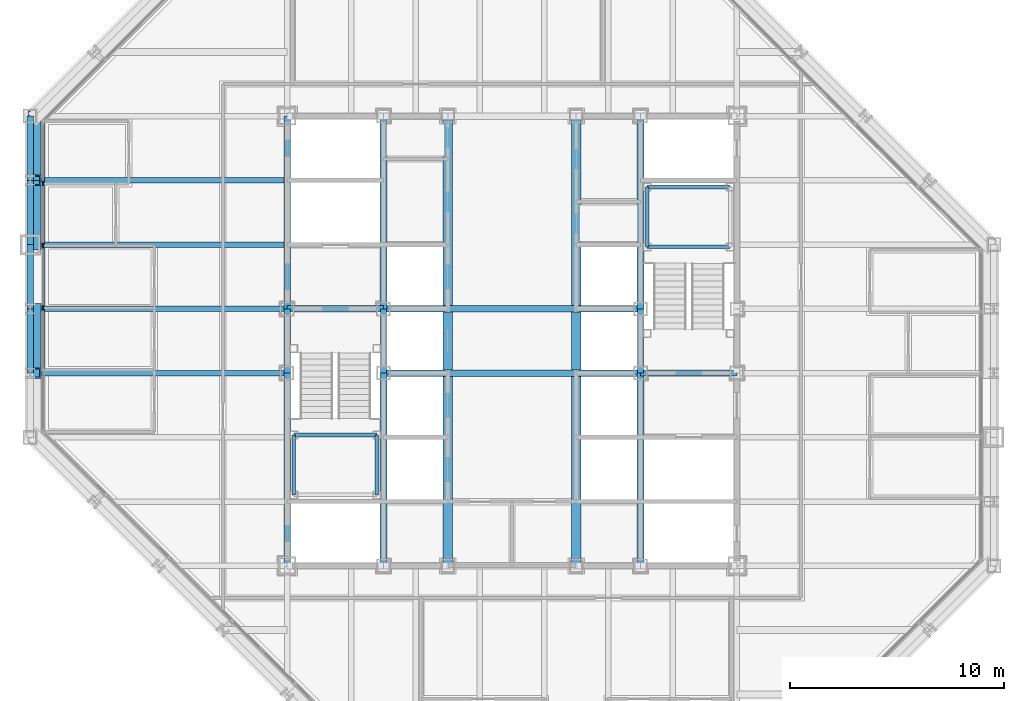
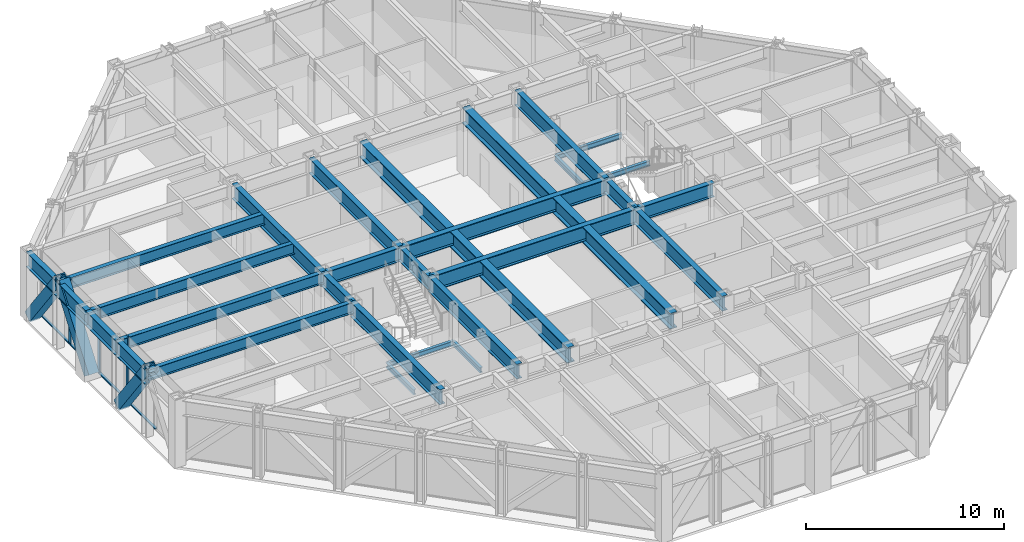
# One storey, part 6 of 16: 33 beams, 10 members, 1 element without a shape of its own.
"""IFC4 building model written with IfcOpenShell, lengths in metres."""

from ifc_helpers import new_model, si_unit, direction, frame, origin, origin_2d, place, context, subcontext, project, spatial, rectangle, hollow_rectangle, i_section, extrude, material, layer, layer_set, material_profile, profile_set, type_object, element, aggregate, save


model = new_model("IFC4")

# Units and contexts
model_context = context("Model", 3, precision=1e-05, world=origin(), true_north=direction((0.0, 1.0)))
body_context = subcontext(model_context, "Body", "Model", "MODEL_VIEW")
ifc_project = project(units=[si_unit("LENGTHUNIT", "METRE"), si_unit("AREAUNIT", "SQUARE_METRE"), si_unit("VOLUMEUNIT", "CUBIC_METRE"), si_unit("PLANEANGLEUNIT", "RADIAN"), si_unit("MASSUNIT", "GRAM", prefix="KILO")], contexts=[model_context])

# Site, building, storey
site_placement = place(None, origin())
site = spatial("IfcSite", under=ifc_project, at=site_placement, CompositionType="ELEMENT")
building_placement = place(site_placement, origin())
building = spatial("IfcBuilding", under=site, at=building_placement, Name="Chuquiago Exchange Tower", CompositionType="ELEMENT")
storey_placement = place(building_placement, frame((0.0, 0.0, 201.300048828125)))
storey = spatial("IfcBuildingStorey", under=building, at=storey_placement, Name="L44", CompositionType="ELEMENT", Elevation=201.300048828125)

# Beams
ifc_material_1 = material(Name="Steel ASTM A992", Category="steel")
ifc_material_profile_1 = material_profile(ifc_material_1, i_section(OverallWidth=0.25390625, OverallDepth=0.683349609375, WebThickness=0.012451171875, FlangeThickness=0.018798828125, at=origin_2d()), Name="W27X94")
ifc_profile_set_1 = profile_set([ifc_material_profile_1], Name="Steel ASTM A992")
beam_type_1 = type_object("IfcBeamType", Name="B1 W27X94", PredefinedType="BEAM", material=ifc_profile_set_1)
for number, where, z_axis, x_axis, name in (
    (1, (12.0, 21.0, 3.6982421875), (-1.0, 0.0, 0.0), (0.0, -1.0, 0.0), "FB-L45-infill-12_21--0_21-0"),
    (2, (12.0, 24.0, 3.6982421875), (-1.0, 0.0, 0.0), (0.0, -1.0, 0.0), "FB-L45-infill-12_24--0_24-0"),
    (3, (12.0, 27.0, 3.6982421875), (-1.0, 0.0, 0.0), (0.0, -1.0, 0.0), "FB-L45-infill-12_27--0_27-0"),
    (4, (12.0, 30.0, 3.6982421875), (-1.0, 0.0, 0.0), (0.0, -1.0, 0.0), "FB-L45-infill-12_30--0_30-0"),
):
    element("IfcBeam", number, at=place(storey_placement, frame(where, z_axis=z_axis, x_axis=x_axis)), inside=storey, type_object=beam_type_1, Name=name, PredefinedType="BEAM", context=body_context, shape_type="SweptSolid", body=[
        extrude(i_section(OverallWidth=0.25390625, OverallDepth=0.683349609375, WebThickness=0.012451171875, FlangeThickness=0.018798828125, at=origin_2d()), origin(), (0.0, 0.0, 1.0), 12.0),
    ])
ifc_material_2 = material(Name="Steel ASTM A992", Category="steel")
ifc_material_profile_2 = material_profile(ifc_material_2, i_section(OverallWidth=0.307373046875, OverallDepth=0.927001953125, WebThickness=0.01953125, FlangeThickness=0.031982421875, at=origin_2d()), Name="W36X194")
ifc_profile_set_2 = profile_set([ifc_material_profile_2], Name="Steel ASTM A992")
beam_type_2 = type_object("IfcBeamType", Name="B10 W36X194", PredefinedType="BEAM", material=ifc_profile_set_2)
for number, where, z_axis, x_axis, name in (
    (5, (12.0, 12.0, 3.576416015625), (0.0, 1.0, 0.0), (-1.0, 0.0, 0.0), "CB-L45-12_12-12_21"),
    (6, (12.0, 24.0, 3.576416015625), (0.0, 1.0, 0.0), (-1.0, 0.0, 0.0), "CB-L45-12_24-12_33"),
    (7, (16.5, 12.0, 3.576416015625), (0.0, 1.0, 0.0), (-1.0, 0.0, 0.0), "CB-L45-16.5_12-16.5_21"),
    (8, (16.5, 24.0, 3.576416015625), (0.0, 1.0, 0.0), (-1.0, 0.0, 0.0), "CB-L45-16.5_24-16.5_33"),
    (9, (28.5, 12.0, 3.576416015625), (0.0, 1.0, 0.0), (-1.0, 0.0, 0.0), "CB-L45-28.5_12-28.5_21"),
    (10, (28.5, 24.0, 3.576416015625), (0.0, 1.0, 0.0), (-1.0, 0.0, 0.0), "CB-L45-28.5_24-28.5_33"),
):
    element("IfcBeam", number, at=place(storey_placement, frame(where, z_axis=z_axis, x_axis=x_axis)), inside=storey, type_object=beam_type_2, Name=name, PredefinedType="BEAM", context=body_context, shape_type="SweptSolid", body=[
        extrude(i_section(OverallWidth=0.307373046875, OverallDepth=0.927001953125, WebThickness=0.01953125, FlangeThickness=0.031982421875, at=origin_2d()), origin(), (0.0, 0.0, 1.0), 9.0),
    ])
ifc_material_3 = material(Name="Steel ASTM A992", Category="steel")
ifc_material_profile_3 = material_profile(ifc_material_3, i_section(OverallWidth=0.309814453125, OverallDepth=0.949951171875, WebThickness=0.0244140625, FlangeThickness=0.0439453125, at=origin_2d()), Name="W36X256")
ifc_profile_set_3 = profile_set([ifc_material_profile_3], Name="Steel ASTM A992")
beam_type_3 = type_object("IfcBeamType", Name="B11 W36X256", PredefinedType="BEAM", material=ifc_profile_set_3)
for number, where, z_axis, x_axis, name in (
    (11, (16.5, 21.0, 3.56494140625), (1.0, 0.0, 0.0), (0.0, 1.0, 0.0), "CB-L45-16.5_21-28.5_21"),
    (12, (16.5, 24.0, 3.56494140625), (1.0, 0.0, 0.0), (0.0, 1.0, 0.0), "CB-L45-16.5_24-28.5_24"),
):
    element("IfcBeam", number, at=place(storey_placement, frame(where, z_axis=z_axis, x_axis=x_axis)), inside=storey, type_object=beam_type_3, Name=name, PredefinedType="BEAM", context=body_context, shape_type="SweptSolid", body=[
        extrude(i_section(OverallWidth=0.309814453125, OverallDepth=0.949951171875, WebThickness=0.0244140625, FlangeThickness=0.0439453125, at=origin_2d()), origin(), (0.0, 0.0, 1.0), 12.0),
    ])
ifc_material_4 = material(Name="Steel ASTM A992", Category="steel")
ifc_material_profile_4 = material_profile(ifc_material_4, i_section(OverallWidth=0.4267578125, OverallDepth=0.975341796875, WebThickness=0.031005859375, FlangeThickness=0.055908203125, at=origin_2d()), Name="W36X395")
ifc_profile_set_4 = profile_set([ifc_material_profile_4], Name="Steel ASTM A992")
beam_type_4 = type_object("IfcBeamType", Name="B12 W36X395", PredefinedType="BEAM", material=ifc_profile_set_4)
beam_1_placement = place(storey_placement, frame((19.5, 12.0, 3.55224609375), z_axis=(0.0, 1.0, 0.0), x_axis=(-1.0, 0.0, 0.0)))
element("IfcBeam", 13, at=beam_1_placement, inside=storey, type_object=beam_type_4, Name="CB-L45-19.5_12-19.5_20.8451", PredefinedType="BEAM", context=body_context, shape_type="SweptSolid", body=[
    extrude(i_section(OverallWidth=0.4267578125, OverallDepth=0.975341796875, WebThickness=0.031005859375, FlangeThickness=0.055908203125, at=origin_2d()), origin(), (0.0, 0.0, 1.0), 8.84521484375),
])
beam_2_placement = place(storey_placement, frame((19.5, 21.15478515625, 3.55224609375), z_axis=(0.0, 1.0, 0.0), x_axis=(-1.0, 0.0, 0.0)))
element("IfcBeam", 14, at=beam_2_placement, inside=storey, type_object=beam_type_4, Name="CB-L45-19.5_21.1549-19.5_23.8451", PredefinedType="BEAM", context=body_context, shape_type="SweptSolid", body=[
    extrude(i_section(OverallWidth=0.4267578125, OverallDepth=0.975341796875, WebThickness=0.031005859375, FlangeThickness=0.055908203125, at=origin_2d()), origin(), (0.0, 0.0, 1.0), 2.6904296875),
])
for number, where, z_axis, x_axis, name in (
    (15, (19.5, 24.15478515625, 3.55224609375), (0.0, 1.0, 0.0), (-1.0, 0.0, 0.0), "CB-L45-19.5_24.1549-19.5_33"),
    (16, (25.5, 12.0, 3.55224609375), (0.0, 1.0, 0.0), (-1.0, 0.0, 0.0), "CB-L45-25.5_12-25.5_20.8451"),
):
    element("IfcBeam", number, at=place(storey_placement, frame(where, z_axis=z_axis, x_axis=x_axis)), inside=storey, type_object=beam_type_4, Name=name, PredefinedType="BEAM", context=body_context, shape_type="SweptSolid", body=[
        extrude(i_section(OverallWidth=0.4267578125, OverallDepth=0.975341796875, WebThickness=0.031005859375, FlangeThickness=0.055908203125, at=origin_2d()), origin(), (0.0, 0.0, 1.0), 8.84521484375),
    ])
beam_3_placement = place(storey_placement, frame((25.5, 21.15478515625, 3.55224609375), z_axis=(0.0, 1.0, 0.0), x_axis=(-1.0, 0.0, 0.0)))
element("IfcBeam", 17, at=beam_3_placement, inside=storey, type_object=beam_type_4, Name="CB-L45-25.5_21.1549-25.5_23.8451", PredefinedType="BEAM", context=body_context, shape_type="SweptSolid", body=[
    extrude(i_section(OverallWidth=0.4267578125, OverallDepth=0.975341796875, WebThickness=0.031005859375, FlangeThickness=0.055908203125, at=origin_2d()), origin(), (0.0, 0.0, 1.0), 2.6904296875),
])
beam_4_placement = place(storey_placement, frame((25.5, 24.15478515625, 3.55224609375), z_axis=(0.0, 1.0, 0.0), x_axis=(-1.0, 0.0, 0.0)))
element("IfcBeam", 18, at=beam_4_placement, inside=storey, type_object=beam_type_4, Name="CB-L45-25.5_24.1549-25.5_33", PredefinedType="BEAM", context=body_context, shape_type="SweptSolid", body=[
    extrude(i_section(OverallWidth=0.4267578125, OverallDepth=0.975341796875, WebThickness=0.031005859375, FlangeThickness=0.055908203125, at=origin_2d()), origin(), (0.0, 0.0, 1.0), 8.84521484375),
])
ifc_material_5 = material(Name="Steel ASTM A992", Category="steel")
ifc_material_profile_5 = material_profile(ifc_material_5, i_section(OverallWidth=0.2919921875, OverallDepth=0.8583984375, WebThickness=0.01708984375, FlangeThickness=0.031005859375, at=origin_2d()), Name="W33X169")
ifc_profile_set_5 = profile_set([ifc_material_profile_5], Name="Steel ASTM A992")
beam_type_5 = type_object("IfcBeamType", Name="B3 W33X169", PredefinedType="BEAM", material=ifc_profile_set_5)
for number, where, z_axis, x_axis, name in (
    (19, (12.0, 21.0, 3.610595703125), (0.0, 1.0, 0.0), (-1.0, 0.0, 0.0), "CB-L45-12_21-12_24"),
    (20, (16.5, 21.0, 3.610595703125), (0.0, 1.0, 0.0), (-1.0, 0.0, 0.0), "CB-L45-16.5_21-16.5_24"),
    (21, (28.5, 21.0, 3.610595703125), (0.0, 1.0, 0.0), (-1.0, 0.0, 0.0), "CB-L45-28.5_21-28.5_24"),
):
    element("IfcBeam", number, at=place(storey_placement, frame(where, z_axis=z_axis, x_axis=x_axis)), inside=storey, type_object=beam_type_5, Name=name, PredefinedType="BEAM", context=body_context, shape_type="SweptSolid", body=[
        extrude(i_section(OverallWidth=0.2919921875, OverallDepth=0.8583984375, WebThickness=0.01708984375, FlangeThickness=0.031005859375, at=origin_2d()), origin(), (0.0, 0.0, 1.0), 3.0),
    ])
for number, where, z_axis, x_axis, name in (
    (22, (28.5, 21.0, 3.610595703125), (1.0, 0.0, 0.0), (0.0, 1.0, 0.0), "CB-L45-28.5_21-33_21"),
    (23, (12.0, 24.0, 3.610595703125), (1.0, 0.0, 0.0), (0.0, 1.0, 0.0), "CB-L45-12_24-16.5_24"),
):
    element("IfcBeam", number, at=place(storey_placement, frame(where, z_axis=z_axis, x_axis=x_axis)), inside=storey, type_object=beam_type_5, Name=name, PredefinedType="BEAM", context=body_context, shape_type="SweptSolid", body=[
        extrude(i_section(OverallWidth=0.2919921875, OverallDepth=0.8583984375, WebThickness=0.01708984375, FlangeThickness=0.031005859375, at=origin_2d()), origin(), (0.0, 0.0, 1.0), 4.5),
    ])

# Curtain wall, members
ifc_material_6 = material(Name="Aluminium curtain wall system", Category="aluminium")
ifc_layer = layer(ifc_material_6, 0.22509765625)
ifc_layer_set = layer_set([ifc_layer], Name="CW2 office curtain wall")
curtain_wall_type = type_object("IfcCurtainWallType", Name="CW2 office curtain wall", PredefinedType="NOTDEFINED", material=ifc_layer_set)
curtain_wall_placement = place(storey_placement, origin())
curtain_wall = element("IfcCurtainWall", 24, at=curtain_wall_placement, inside=storey, type_object=curtain_wall_type, Name="CW2 curtain wall L44", PredefinedType="NOTDEFINED")
ifc_material_7 = material(Name="Aluminium mullion, pale anodised", Category="aluminium")
ifc_material_profile_6 = material_profile(ifc_material_7, rectangle(XDim=0.06494140625, YDim=0.22509765625, at=origin_2d()), Name="AL 65x225")
ifc_profile_set_6 = profile_set([ifc_material_profile_6], Name="Aluminium mullion, pale anodised")
member_type_1 = type_object("IfcMemberType", Name="CW2-M mullion 65x225", PredefinedType="MULLION", material=ifc_profile_set_6)
member_1_placement = place(storey_placement, frame((0.60009765625, 29.850830078125, 0.0), z_axis=(0.0, 0.0, 1.0), x_axis=(1.0, 0.0, 0.0)))
member_1 = element("IfcMember", 25, at=member_1_placement, type_object=member_type_1, Name="CW2 mullion 2", PredefinedType="MULLION", context=body_context, shape_type="SweptSolid", body=[
    extrude(rectangle(XDim=0.06494140625, YDim=0.22509765625, at=origin_2d()), origin(), (0.0, 0.0, 1.0), 4.0400390625),
])
member_2_placement = place(storey_placement, frame((0.60009765625, 26.9501953125, 0.0), z_axis=(0.0, 0.0, 1.0), x_axis=(1.0, 0.0, 0.0)))
member_2 = element("IfcMember", 26, at=member_2_placement, type_object=member_type_1, Name="CW2 mullion 3", PredefinedType="MULLION", context=body_context, shape_type="SweptSolid", body=[
    extrude(rectangle(XDim=0.06494140625, YDim=0.22509765625, at=origin_2d()), origin(), (0.0, 0.0, 1.0), 4.0400390625),
])
member_3_placement = place(storey_placement, frame((0.60009765625, 24.0498046875, 0.0), z_axis=(0.0, 0.0, 1.0), x_axis=(1.0, 0.0, 0.0)))
member_3 = element("IfcMember", 27, at=member_3_placement, type_object=member_type_1, Name="CW2 mullion 4", PredefinedType="MULLION", context=body_context, shape_type="SweptSolid", body=[
    extrude(rectangle(XDim=0.06494140625, YDim=0.22509765625, at=origin_2d()), origin(), (0.0, 0.0, 1.0), 4.0400390625),
])
ifc_material_8 = material(Name="Aluminium transom, pale anodised", Category="aluminium")
ifc_material_profile_7 = material_profile(ifc_material_8, rectangle(XDim=0.139892578125, YDim=0.06494140625, at=origin_2d()), Name="AL 140x65")
ifc_profile_set_7 = profile_set([ifc_material_profile_7], Name="Aluminium transom, pale anodised")
member_type_2 = type_object("IfcMemberType", Name="CW2-T transom 65x140", PredefinedType="MULLION", material=ifc_profile_set_7)
member_4_placement = place(storey_placement, frame((0.60009765625, 32.6865234375, 0.032470703125), z_axis=(0.0, -1.0, 0.0), x_axis=(1.0, 0.0, 0.0)))
member_4 = element("IfcMember", 28, at=member_4_placement, type_object=member_type_2, Name="CW2 transom 1.1", PredefinedType="MULLION", context=body_context, shape_type="SweptSolid", body=[
    extrude(rectangle(XDim=0.139892578125, YDim=0.06494140625, at=origin_2d()), origin(), (0.0, 0.0, 1.0), 2.80322265625),
])
member_5_placement = place(storey_placement, frame((0.60009765625, 29.818359375, 0.032470703125), z_axis=(0.0, -1.0, 0.0), x_axis=(1.0, 0.0, 0.0)))
member_5 = element("IfcMember", 29, at=member_5_placement, type_object=member_type_2, Name="CW2 transom 2.1", PredefinedType="MULLION", context=body_context, shape_type="SweptSolid", body=[
    extrude(rectangle(XDim=0.139892578125, YDim=0.06494140625, at=origin_2d()), origin(), (0.0, 0.0, 1.0), 2.83544921875),
])
member_6_placement = place(storey_placement, frame((0.60009765625, 26.917724609375, 0.032470703125), z_axis=(0.0, -1.0, 0.0), x_axis=(1.0, 0.0, 0.0)))
member_6 = element("IfcMember", 30, at=member_6_placement, type_object=member_type_2, Name="CW2 transom 3.1", PredefinedType="MULLION", context=body_context, shape_type="SweptSolid", body=[
    extrude(rectangle(XDim=0.139892578125, YDim=0.06494140625, at=origin_2d()), origin(), (0.0, 0.0, 1.0), 2.83544921875),
])
member_7_placement = place(storey_placement, frame((0.60009765625, 24.01708984375, 0.032470703125), z_axis=(0.0, -1.0, 0.0), x_axis=(1.0, 0.0, 0.0)))
member_7 = element("IfcMember", 31, at=member_7_placement, type_object=member_type_2, Name="CW2 transom 4.1", PredefinedType="MULLION", context=body_context, shape_type="SweptSolid", body=[
    extrude(rectangle(XDim=0.139892578125, YDim=0.06494140625, at=origin_2d()), origin(), (0.0, 0.0, 1.0), 2.83544921875),
])
aggregate(curtain_wall, [member_1, member_2, member_3, member_4, member_5, member_6, member_7])

# Beams
ifc_material_9 = material(Name="Steel ASTM A992", Category="steel")
ifc_material_profile_8 = material_profile(ifc_material_9, i_section(OverallWidth=0.164794921875, OverallDepth=0.309814453125, WebThickness=0.005859375, FlangeThickness=0.009765625, at=origin_2d()), Name="W12X26")
ifc_profile_set_8 = profile_set([ifc_material_profile_8], Name="Steel ASTM A992")
beam_type_6 = type_object("IfcBeamType", Name="LS1 W12X26", PredefinedType="BEAM", material=ifc_profile_set_8)
for number, where, z_axis, x_axis, name in (
    (32, (12.31005859375, 15.31005859375, 1.7451171875), (0.0, 1.0, 0.0), (-1.0, 0.0, 0.0), "Stair ST1 L44 landing 1 stringer"),
    (33, (16.18994140625, 15.31005859375, 1.7451171875), (0.0, 1.0, 0.0), (-1.0, 0.0, 0.0), "Stair ST1 L44 landing 1 stringer"),
    (34, (28.81005859375, 26.889892578125, 1.7451171875), (0.0, 1.0, 0.0), (-1.0, 0.0, 0.0), "Stair ST2 L44 landing 1 stringer"),
):
    element("IfcBeam", number, at=place(storey_placement, frame(where, z_axis=z_axis, x_axis=x_axis)), inside=storey, type_object=beam_type_6, Name=name, PredefinedType="BEAM", context=body_context, shape_type="SweptSolid", body=[
        extrude(i_section(OverallWidth=0.164794921875, OverallDepth=0.309814453125, WebThickness=0.005859375, FlangeThickness=0.009765625, at=origin_2d()), origin(), (0.0, 0.0, 1.0), 2.800048828125),
    ])
ifc_material_10 = material(Name="Steel ASTM A992", Category="steel")
ifc_material_profile_9 = material_profile(ifc_material_10, i_section(OverallWidth=0.164794921875, OverallDepth=0.309814453125, WebThickness=0.005859375, FlangeThickness=0.009765625, at=origin_2d()), Name="W12X26")
ifc_profile_set_9 = profile_set([ifc_material_profile_9], Name="Steel ASTM A992")
beam_type_7 = type_object("IfcBeamType", Name="LT1 W12X26", PredefinedType="BEAM", material=ifc_profile_set_9)
for number, where, z_axis, x_axis, name in (
    (35, (12.31005859375, 18.110107421875, 1.7451171875), (1.0, 0.0, 0.0), (0.0, 1.0, 0.0), "Stair ST1 L44 landing 1 trimmer"),
    (36, (28.81005859375, 29.68994140625, 1.7451171875), (1.0, 0.0, 0.0), (0.0, 1.0, 0.0), "Stair ST2 L44 landing 1 trimmer"),
    (37, (28.81005859375, 26.889892578125, 1.7451171875), (1.0, 0.0, 0.0), (0.0, 1.0, 0.0), "Stair ST2 L44 landing 1 trimmer"),
):
    element("IfcBeam", number, at=place(storey_placement, frame(where, z_axis=z_axis, x_axis=x_axis)), inside=storey, type_object=beam_type_7, Name=name, PredefinedType="BEAM", context=body_context, shape_type="SweptSolid", body=[
        extrude(i_section(OverallWidth=0.164794921875, OverallDepth=0.309814453125, WebThickness=0.005859375, FlangeThickness=0.009765625, at=origin_2d()), origin(), (0.0, 0.0, 1.0), 3.8798828125),
    ])

# Members
ifc_material_11 = material(Name="Steel ASTM A572 Grade 50", Category="steel")
ifc_material_profile_10 = material_profile(ifc_material_11, hollow_rectangle(XDim=0.60009765625, YDim=0.60009765625, WallThickness=0.06005859375, at=origin_2d()), Name="BOX600X600X60")
ifc_profile_set_10 = profile_set([ifc_material_profile_10], Name="Steel ASTM A572 Grade 50")
member_type_3 = type_object("IfcMemberType", Name="MB3 BOX600X600X60", PredefinedType="BRACE", material=ifc_profile_set_10)
for number, where, z_axis, x_axis, name in (
    (38, (0.205078125, 33.0, 0.0), (0.0, -0.596173923302, 0.802855312728), (1.0, 0.0, 0.0), "Mega diagonal L44 W face"),
    (39, (0.205078125, 27.0, 0.0), (0.0, 0.596173923302, 0.802855312728), (-1.0, 0.0, 0.0), "Mega diagonal L44 W face"),
    (40, (0.205078125, 24.0, 0.0), (0.0, -0.596173923302, 0.802855312728), (1.0, 0.0, 0.0), "Mega diagonal L44 W face"),
):
    element("IfcMember", number, at=place(storey_placement, frame(where, z_axis=z_axis, x_axis=x_axis)), inside=storey, type_object=member_type_3, Name=name, PredefinedType="BRACE", context=body_context, shape_type="SweptSolid", body=[
        extrude(hollow_rectangle(XDim=0.60009765625, YDim=0.60009765625, WallThickness=0.06005859375, at=origin_2d()), origin(), (0.0, 0.0, 1.0), 5.031982421875),
    ])

# Beams
ifc_material_12 = material(Name="Steel ASTM A992", Category="steel")
ifc_material_profile_11 = material_profile(ifc_material_12, i_section(OverallWidth=0.307373046875, OverallDepth=0.927001953125, WebThickness=0.01953125, FlangeThickness=0.031982421875, at=origin_2d()), Name="W36X194")
ifc_profile_set_11 = profile_set([ifc_material_profile_11], Name="Steel ASTM A992")
beam_type_8 = type_object("IfcBeamType", Name="SP3 W36X194", PredefinedType="SPANDREL", material=ifc_profile_set_11)
for number, where, z_axis, x_axis, name in (
    (41, (0.0, 33.0, 3.576416015625), (0.0, -1.0, 0.0), (1.0, 0.0, 0.0), "SPB-L45-0_33-0_30"),
    (42, (0.0, 30.0, 3.576416015625), (0.0, -1.0, 0.0), (1.0, 0.0, 0.0), "SPB-L45-0_30-0_27"),
    (43, (0.0, 27.0, 3.576416015625), (0.0, -1.0, 0.0), (1.0, 0.0, 0.0), "SPB-L45-0_27-0_24"),
    (44, (0.0, 24.0, 3.576416015625), (0.0, -1.0, 0.0), (1.0, 0.0, 0.0), "SPB-L45-0_24-0_21"),
):
    element("IfcBeam", number, at=place(storey_placement, frame(where, z_axis=z_axis, x_axis=x_axis)), inside=storey, type_object=beam_type_8, Name=name, PredefinedType="SPANDREL", context=body_context, shape_type="SweptSolid", body=[
        extrude(i_section(OverallWidth=0.307373046875, OverallDepth=0.927001953125, WebThickness=0.01953125, FlangeThickness=0.031982421875, at=origin_2d()), origin(), (0.0, 0.0, 1.0), 3.0),
    ])

save(model, "model.ifc")
